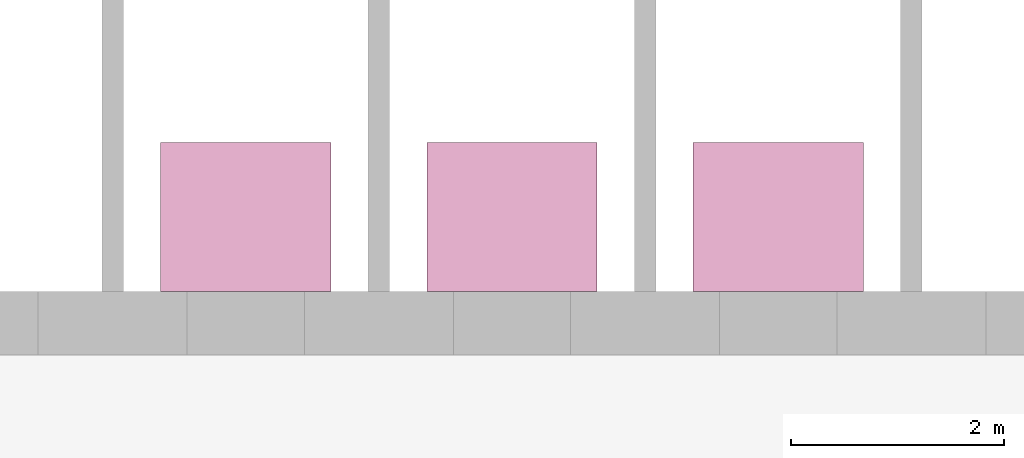
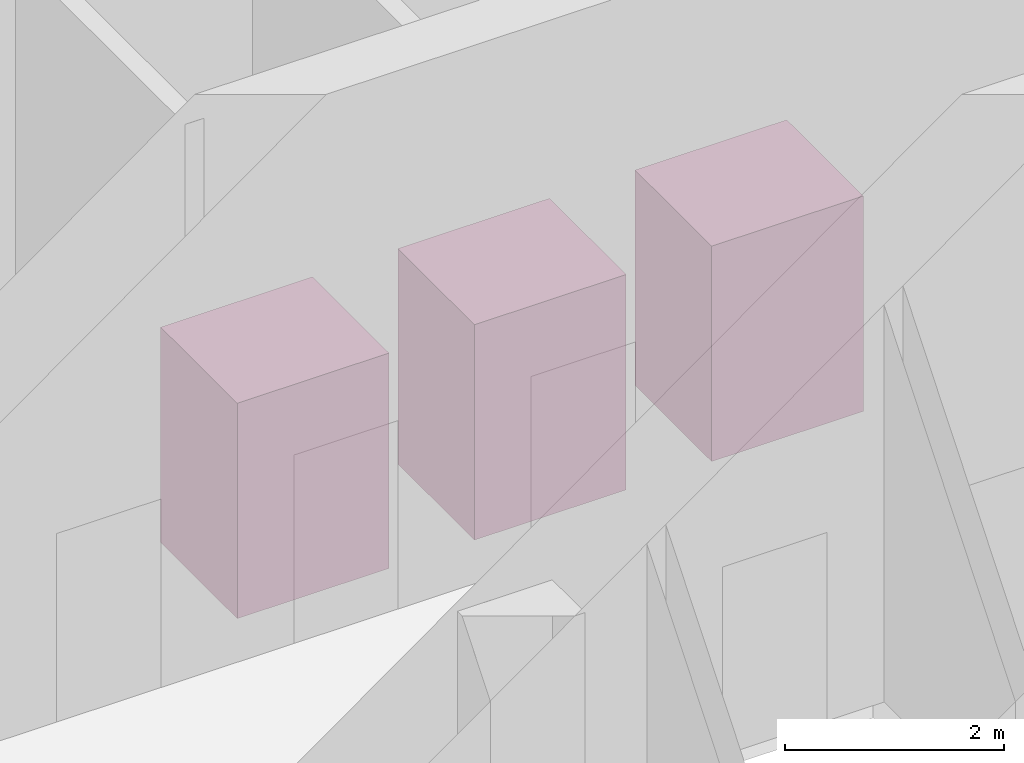
# One storey, part 17 of 17: 3 transport elements.
"""IFC4 building model written with IfcOpenShell, lengths in metres."""

from ifc_helpers import new_model, si_unit, direction, frame, origin, origin_2d, place, context, subcontext, project, spatial, rectangle, extrude, material, type_object, element, save


model = new_model("IFC4")

# Units and contexts
model_context = context("Model", 3, precision=1e-05, world=origin(), true_north=direction((0.0, 1.0)))
body_context = subcontext(model_context, "Body", "Model", "MODEL_VIEW")
ifc_project = project(units=[si_unit("LENGTHUNIT", "METRE"), si_unit("AREAUNIT", "SQUARE_METRE"), si_unit("VOLUMEUNIT", "CUBIC_METRE"), si_unit("PLANEANGLEUNIT", "RADIAN"), si_unit("MASSUNIT", "GRAM", prefix="KILO")], contexts=[model_context])

# Site, building, storey
site_placement = place(None, origin())
site = spatial("IfcSite", under=ifc_project, at=site_placement, CompositionType="ELEMENT")
building_placement = place(site_placement, origin())
building = spatial("IfcBuilding", under=site, at=building_placement, Name="Kilele Tower Hotel", CompositionType="ELEMENT")
storey_placement = place(building_placement, frame((0.0, 0.0, 145.89990234375)))
storey = spatial("IfcBuildingStorey", under=building, at=storey_placement, Name="L38", CompositionType="ELEMENT", Elevation=145.89990234375)

# Transport elements
ifc_material = material(Name="Steel lift car", Category="steel")
transport_element_type = type_object("IfcTransportElementType", Name="Passenger lift car 1600 x 1400", PredefinedType="ELEVATOR", material=ifc_material)
for number, where, z_axis, x_axis, name in (
    (1, (23.5, 21.0, 0.000244140625), (0.0, 0.0, 1.0), (1.0, 0.0, 0.0), "Lift H1"),
    (2, (26.0, 21.0, 0.000244140625), (0.0, 0.0, 1.0), (1.0, 0.0, 0.0), "Lift H2"),
    (3, (28.5, 21.0, 0.000244140625), (0.0, 0.0, 1.0), (1.0, 0.0, 0.0), "Lift H3"),
):
    element("IfcTransportElement", number, at=place(storey_placement, frame(where, z_axis=z_axis, x_axis=x_axis)), inside=storey, type_object=transport_element_type, Name=name, PredefinedType="ELEVATOR", context=body_context, shape_type="SweptSolid", body=[
        extrude(rectangle(XDim=1.60009765625, YDim=1.39990234375, at=origin_2d()), origin(), (0.0, 0.0, 1.0), 2.39990234375),
    ])

save(model, "model.ifc")
